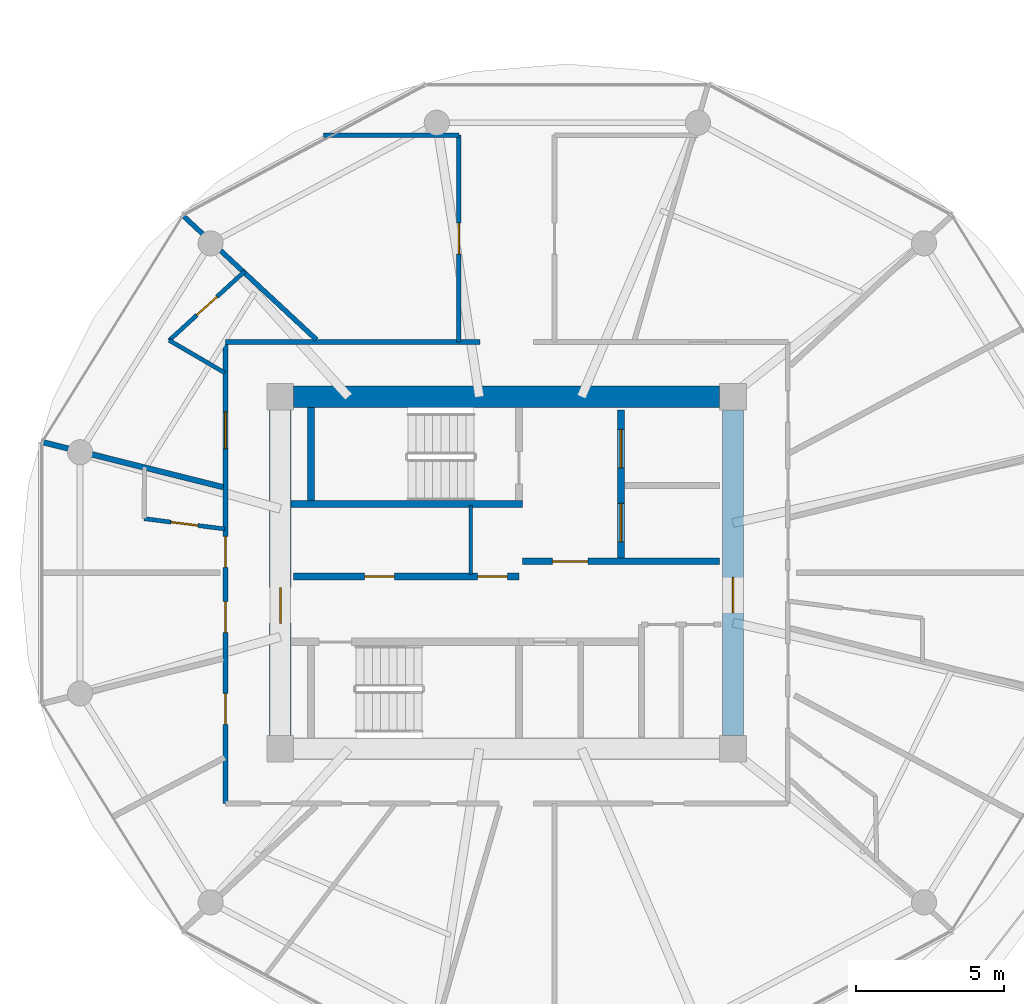
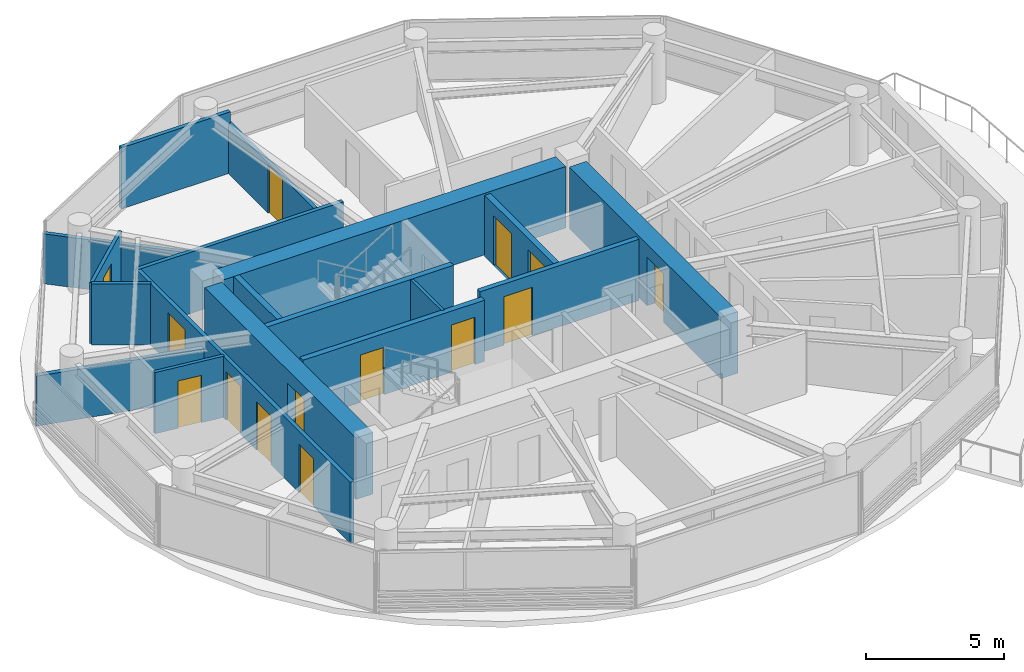
# One storey, part 14 of 22: 18 walls, 14 doors, 14 openings.
"""IFC4 building model written with IfcOpenShell, lengths in metres."""

from ifc_helpers import new_model, si_unit, direction, frame, frame_2d, origin, place, context, subcontext, project, spatial, rectangle, extrude, source, transform, mapped, material, layer, layer_set, type_object, type_shapes, element, fill, save


model = new_model("IFC4")

# Units and contexts
model_context = context("Model", 3, precision=1e-05, world=origin(), true_north=direction((0.0, 1.0)))
body_context = subcontext(model_context, "Body", "Model", "MODEL_VIEW")
ifc_project = project(units=[si_unit("LENGTHUNIT", "METRE"), si_unit("AREAUNIT", "SQUARE_METRE"), si_unit("VOLUMEUNIT", "CUBIC_METRE"), si_unit("PLANEANGLEUNIT", "RADIAN"), si_unit("MASSUNIT", "GRAM", prefix="KILO")], contexts=[model_context])

# Site, building, storey
site_placement = place(None, origin())
site = spatial("IfcSite", under=ifc_project, at=site_placement, CompositionType="ELEMENT")
building_placement = place(site_placement, origin())
building = spatial("IfcBuilding", under=site, at=building_placement, Name="Norrkilde Senior Care Towers", CompositionType="ELEMENT")
storey_placement = place(building_placement, frame((0.0, 0.0, 126.75)))
storey = spatial("IfcBuildingStorey", under=building, at=storey_placement, Name="L39", CompositionType="ELEMENT", Elevation=126.75)

# Wall
ifc_material_1 = material(Name="Concrete C60/75", Category="concrete")
ifc_layer_1 = layer(ifc_material_1, 0.719970703125)
ifc_layer_set_1 = layer_set([ifc_layer_1], Name="Concrete C60/75")
wall_type_1 = type_object("IfcWallType", Name="Core Shear Wall Z2 720", PredefinedType="SHEAR", material=ifc_layer_set_1)
shared_shape_1 = source(origin(), body_context, "Body", "SweptSolid", [
    extrude(rectangle(XDim=14.39990234375, YDim=0.719970703125, at=frame_2d((7.199951171875, 0.0))), origin(), (0.0, 0.0, 1.0), 2.72998046875),
])
wall_1_placement = place(storey_placement, frame((-35.199951171875, 5.949951171875, 0.0), z_axis=(0.0, 0.0, 1.0), x_axis=(1.0, 0.0, 0.0)))
element("IfcWall", 1, at=wall_1_placement, inside=storey, type_object=wall_type_1, Name="L39 Core W North Shear Wall", PredefinedType="SHEAR", context=body_context, shape_type="MappedRepresentation", body=[
    mapped(shared_shape_1, transform((0.0, 0.0, 0.0), x_axis=(1.0, 0.0, 0.0), y_axis=(0.0, 1.0, 0.0), z_axis=(0.0, 0.0, 1.0), scale=1.0)),
])

# Wall, opening, door
shared_shape_2 = source(origin(), body_context, "Body", "SweptSolid", [
    extrude(rectangle(XDim=11.0, YDim=0.719970703125, at=frame_2d((5.5, 0.0))), origin(), (0.0, 0.0, 1.0), 2.72998046875),
])
type_shapes(wall_type_1, [shared_shape_1, shared_shape_2])
wall_2_placement = place(storey_placement, frame((-35.64990234375, -5.5, 0.0), z_axis=(0.0, 0.0, 1.0), x_axis=(0.0, 1.0, 0.0)))
wall_2 = element("IfcWall", 2, at=wall_2_placement, inside=storey, type_object=wall_type_1, Name="L39 Core W West Shear Wall", PredefinedType="SHEAR", context=body_context, shape_type="MappedRepresentation", body=[
    mapped(shared_shape_2, transform((0.0, 0.0, 0.0), x_axis=(1.0, 0.0, 0.0), y_axis=(0.0, 1.0, 0.0), z_axis=(0.0, 0.0, 1.0), scale=1.0)),
])
opening_1_placement = place(wall_2_placement, frame((3.800048828125, 0.0, 0.0)))
opening_1 = element("IfcOpeningElement", 3, at=opening_1_placement, cuts=wall_2, Name="Opening D-04", PredefinedType="OPENING", context=body_context, shape_type="SweptSolid", body=[
    extrude(rectangle(XDim=1.199951171875, YDim=2.14990234375, at=frame_2d((0.60009765625, 1.074951171875))), frame((0.0, 0.369873046875, 0.0), z_axis=(0.0, -1.0, 0.0), x_axis=(1.0, 0.0, 0.0)), (0.0, 0.0, 1.0), 0.739990234375),
])
ifc_material_2 = material(Name="Galvanised Painted Steel", Category="steel")
door_type_1 = type_object("IfcDoorType", Name="Firefighting Lobby Fire Door 1200x2150", OperationType="NOTDEFINED", PredefinedType="DOOR", material=ifc_material_2)
shared_shape_3 = source(origin(), body_context, "Body", "SweptSolid", [
    extrude(rectangle(XDim=1.199951171875, YDim=2.14990234375, at=frame_2d((0.60009765625, 1.074951171875))), frame((0.0, 0.02490234375, 0.0), z_axis=(0.0, -1.0, 0.0), x_axis=(1.0, 0.0, 0.0)), (0.0, 0.0, 1.0), 0.050048828125),
])
type_shapes(door_type_1, [shared_shape_3])
door_1_placement = place(opening_1_placement, frame((1.199951171875, 0.0, 0.0), z_axis=(0.0, 0.0, 1.0), x_axis=(-1.0, 0.0, 0.0)))
door_1 = element("IfcDoor", 4, at=door_1_placement, inside=storey, type_object=door_type_1, Name="L39 Core W West Portal Door", OperationType="SINGLE_SWING_LEFT", OverallHeight=2.14990234375, OverallWidth=1.199951171875, PredefinedType="DOOR", context=body_context, shape_type="MappedRepresentation", body=[
    mapped(shared_shape_3, transform((0.0, 0.0, 0.0), x_axis=(1.0, 0.0, 0.0), y_axis=(0.0, 1.0, 0.0), z_axis=(0.0, 0.0, 1.0), scale=1.0)),
])
fill(opening_1, door_1)

wall_3_placement = place(storey_placement, frame((-20.35009765625, 5.5, 0.0), z_axis=(0.0, 0.0, 1.0), x_axis=(0.0, -1.0, 0.0)))
wall_3 = element("IfcWall", 5, at=wall_3_placement, inside=storey, type_object=wall_type_1, Name="L39 Core W East Shear Wall", PredefinedType="SHEAR", context=body_context, shape_type="MappedRepresentation", body=[
    mapped(shared_shape_2, transform((0.0, 0.0, 0.0), x_axis=(1.0, 0.0, 0.0), y_axis=(0.0, 1.0, 0.0), z_axis=(0.0, 0.0, 1.0), scale=1.0)),
])
opening_2_placement = place(wall_3_placement, frame((5.64990234375, 0.0, 0.0)))
opening_2 = element("IfcOpeningElement", 6, at=opening_2_placement, cuts=wall_3, Name="Opening D-04", PredefinedType="OPENING", context=body_context, shape_type="SweptSolid", body=[
    extrude(rectangle(XDim=1.199951171875, YDim=2.14990234375, at=frame_2d((0.60009765625, 1.074951171875))), frame((0.0, 0.369873046875, 0.0), z_axis=(0.0, -1.0, 0.0), x_axis=(1.0, 0.0, 0.0)), (0.0, 0.0, 1.0), 0.739990234375),
])
door_2_placement = place(opening_2_placement, frame((1.199951171875, 0.0, 0.0), z_axis=(0.0, 0.0, 1.0), x_axis=(-1.0, 0.0, 0.0)))
door_2 = element("IfcDoor", 7, at=door_2_placement, inside=storey, type_object=door_type_1, Name="L39 Core W East Portal Door", OperationType="SINGLE_SWING_RIGHT", OverallHeight=2.14990234375, OverallWidth=1.199951171875, PredefinedType="DOOR", context=body_context, shape_type="MappedRepresentation", body=[
    mapped(shared_shape_3, transform((0.0, 0.0, 0.0), x_axis=(1.0, 0.0, 0.0), y_axis=(0.0, 1.0, 0.0), z_axis=(0.0, 0.0, 1.0), scale=1.0)),
])
fill(opening_2, door_2)

# Wall, openings, doors
ifc_material_3 = material(Name="Concrete C45/55", Category="concrete")
ifc_layer_2 = layer(ifc_material_3, 0.239990234375)
ifc_layer_set_2 = layer_set([ifc_layer_2], Name="Concrete C45/55")
wall_type_2 = type_object("IfcWallType", Name="Lift and Plant Rated Enclosure Partition 240", PredefinedType="PARTITIONING", material=ifc_layer_set_2)
shared_shape_4 = source(origin(), body_context, "Body", "SweptSolid", [
    extrude(rectangle(XDim=5.0, YDim=0.239990234375, at=frame_2d((2.5, 0.0))), origin(), (0.0, 0.0, 1.0), 2.715087890625),
])
wall_4_placement = place(storey_placement, frame((-24.139892578125, 0.5, 0.0), z_axis=(0.0, 0.0, 1.0), x_axis=(0.0, 1.0, 0.0)))
wall_4 = element("IfcWall", 8, at=wall_4_placement, inside=storey, type_object=wall_type_2, Name="WL-INT-L39-W-FFLE", PredefinedType="PARTITIONING", context=body_context, shape_type="MappedRepresentation", body=[
    mapped(shared_shape_4, transform((0.0, 0.0, 0.0), x_axis=(1.0, 0.0, 0.0), y_axis=(0.0, 1.0, 0.0), z_axis=(0.0, 0.0, 1.0), scale=1.0)),
])
opening_3_placement = place(wall_4_placement, frame((3.050048828125, 0.0, 0.0)))
opening_3 = element("IfcOpeningElement", 9, at=opening_3_placement, cuts=wall_4, Name="Opening LD-02", PredefinedType="OPENING", context=body_context, shape_type="SweptSolid", body=[
    extrude(rectangle(XDim=1.300048828125, YDim=2.199951171875, at=frame_2d((0.64990234375, 1.10009765625))), frame((0.0, 0.1298828125, 0.0), z_axis=(0.0, -1.0, 0.0), x_axis=(1.0, 0.0, 0.0)), (0.0, 0.0, 1.0), 0.260009765625),
])
opening_4_placement = place(wall_4_placement, frame((0.550048828125, 0.0, 0.0)))
opening_4 = element("IfcOpeningElement", 10, at=opening_4_placement, cuts=wall_4, Name="Opening LD-02", PredefinedType="OPENING", context=body_context, shape_type="SweptSolid", body=[
    extrude(rectangle(XDim=1.300048828125, YDim=2.199951171875, at=frame_2d((0.64990234375, 1.10009765625))), frame((0.0, 0.1298828125, 0.0), z_axis=(0.0, -1.0, 0.0), x_axis=(1.0, 0.0, 0.0)), (0.0, 0.0, 1.0), 0.260009765625),
])
ifc_material_4 = material(Name="Stainless Steel", Category="steel")
door_type_2 = type_object("IfcDoorType", Name="Stretcher and FFL Landing Sliding Door 1300x2200", OperationType="NOTDEFINED", PredefinedType="DOOR", material=ifc_material_4)
shared_shape_5 = source(origin(), body_context, "Body", "SweptSolid", [
    extrude(rectangle(XDim=1.300048828125, YDim=2.199951171875, at=frame_2d((0.64990234375, 1.10009765625))), frame((0.0, 0.02490234375, 0.0), z_axis=(0.0, -1.0, 0.0), x_axis=(1.0, 0.0, 0.0)), (0.0, 0.0, 1.0), 0.050048828125),
])
type_shapes(door_type_2, [shared_shape_5])
door_3_placement = place(opening_3_placement, origin())
door_3 = element("IfcDoor", 11, at=door_3_placement, inside=storey, type_object=door_type_2, Name="L39 Firefighting Lift W1 Landing Door", OperationType="SLIDING_TO_LEFT", OverallHeight=2.199951171875, OverallWidth=1.300048828125, PredefinedType="DOOR", context=body_context, shape_type="MappedRepresentation", body=[
    mapped(shared_shape_5, transform((0.0, 0.0, 0.0), x_axis=(1.0, 0.0, 0.0), y_axis=(0.0, 1.0, 0.0), z_axis=(0.0, 0.0, 1.0), scale=1.0)),
])
fill(opening_3, door_3)
door_4_placement = place(opening_4_placement, origin())
door_4 = element("IfcDoor", 12, at=door_4_placement, inside=storey, type_object=door_type_2, Name="L39 Stretcher Lift W1 Landing Door", OperationType="SLIDING_TO_RIGHT", OverallHeight=2.199951171875, OverallWidth=1.300048828125, PredefinedType="DOOR", context=body_context, shape_type="MappedRepresentation", body=[
    mapped(shared_shape_5, transform((0.0, 0.0, 0.0), x_axis=(1.0, 0.0, 0.0), y_axis=(0.0, 1.0, 0.0), z_axis=(0.0, 0.0, 1.0), scale=1.0)),
])
fill(opening_4, door_4)

# Wall, opening, door
ifc_layer_3 = layer(ifc_material_3, 0.2099609375)
ifc_layer_set_3 = layer_set([ifc_layer_3], Name="Concrete C45/55")
wall_type_3 = type_object("IfcWallType", Name="Firefighting Lobby Wall 210", PredefinedType="PARTITIONING", material=ifc_layer_set_3)
shared_shape_6 = source(origin(), body_context, "Body", "SweptSolid", [
    extrude(rectangle(XDim=6.659912109375, YDim=0.2099609375, at=frame_2d((3.330078125, 0.0))), origin(), (0.0, 0.0, 1.0), 2.715087890625),
])
type_shapes(wall_type_3, [shared_shape_6])
wall_5_placement = place(storey_placement, frame((-27.4599609375, 0.389892578125, 0.0), z_axis=(0.0, 0.0, 1.0), x_axis=(1.0, 0.0, 0.0)))
wall_5 = element("IfcWall", 13, at=wall_5_placement, inside=storey, type_object=wall_type_3, Name="WL-INT-L39-W-FFLS", PredefinedType="PARTITIONING", context=body_context, shape_type="MappedRepresentation", body=[
    mapped(shared_shape_6, transform((0.0, 0.0, 0.0), x_axis=(1.0, 0.0, 0.0), y_axis=(0.0, 1.0, 0.0), z_axis=(0.0, 0.0, 1.0), scale=1.0)),
])
opening_5_placement = place(wall_5_placement, frame((1.0, 0.0, 0.0)))
opening_5 = element("IfcOpeningElement", 14, at=opening_5_placement, cuts=wall_5, Name="Opening D-04", PredefinedType="OPENING", context=body_context, shape_type="SweptSolid", body=[
    extrude(rectangle(XDim=1.199951171875, YDim=2.14990234375, at=frame_2d((0.60009765625, 1.074951171875))), frame((0.0, 0.114990234375, 0.0), z_axis=(0.0, -1.0, 0.0), x_axis=(1.0, 0.0, 0.0)), (0.0, 0.0, 1.0), 0.22998046875),
])
door_5_placement = place(opening_5_placement, frame((1.199951171875, 0.0, 0.0), z_axis=(0.0, 0.0, 1.0), x_axis=(-1.0, 0.0, 0.0)))
door_5 = element("IfcDoor", 15, at=door_5_placement, inside=storey, type_object=door_type_1, Name="L39 Firefighting Lobby W Door", OperationType="SINGLE_SWING_LEFT", OverallHeight=2.14990234375, OverallWidth=1.199951171875, PredefinedType="DOOR", context=body_context, shape_type="MappedRepresentation", body=[
    mapped(shared_shape_3, transform((0.0, 0.0, 0.0), x_axis=(1.0, 0.0, 0.0), y_axis=(0.0, 1.0, 0.0), z_axis=(0.0, 0.0, 1.0), scale=1.0)),
])
fill(opening_5, door_5)

# Wall, openings, doors
shared_shape_7 = source(origin(), body_context, "Body", "SweptSolid", [
    extrude(rectangle(XDim=7.619873046875, YDim=0.239990234375, at=frame_2d((3.81005859375, 0.0))), origin(), (0.0, 0.0, 1.0), 2.715087890625),
])
type_shapes(wall_type_2, [shared_shape_4, shared_shape_7])
wall_6_placement = place(storey_placement, frame((-35.199951171875, -0.1298828125, 0.0), z_axis=(0.0, 0.0, 1.0), x_axis=(1.0, 0.0, 0.0)))
wall_6 = element("IfcWall", 16, at=wall_6_placement, inside=storey, type_object=wall_type_2, Name="WL-INT-L39-W-PKAS", PredefinedType="PARTITIONING", context=body_context, shape_type="MappedRepresentation", body=[
    mapped(shared_shape_7, transform((0.0, 0.0, 0.0), x_axis=(1.0, 0.0, 0.0), y_axis=(0.0, 1.0, 0.0), z_axis=(0.0, 0.0, 1.0), scale=1.0)),
])
opening_6_placement = place(wall_6_placement, frame((6.219970703125, 0.0, 0.0)))
opening_6 = element("IfcOpeningElement", 17, at=opening_6_placement, cuts=wall_6, Name="Opening D-10", PredefinedType="OPENING", context=body_context, shape_type="SweptSolid", body=[
    extrude(rectangle(XDim=1.0, YDim=2.10009765625, at=frame_2d((0.5, 1.050048828125))), frame((0.0, 0.1298828125, 0.0), z_axis=(0.0, -1.0, 0.0), x_axis=(1.0, 0.0, 0.0)), (0.0, 0.0, 1.0), 0.260009765625),
])
opening_7_placement = place(wall_6_placement, frame((2.39990234375, 0.0, 0.0)))
opening_7 = element("IfcOpeningElement", 18, at=opening_7_placement, cuts=wall_6, Name="Opening D-10", PredefinedType="OPENING", context=body_context, shape_type="SweptSolid", body=[
    extrude(rectangle(XDim=1.0, YDim=2.10009765625, at=frame_2d((0.5, 1.050048828125))), frame((0.0, 0.1298828125, 0.0), z_axis=(0.0, -1.0, 0.0), x_axis=(1.0, 0.0, 0.0)), (0.0, 0.0, 1.0), 0.260009765625),
])
door_type_3 = type_object("IfcDoorType", Name="Plant and Riser Rated Door 1000x2100", OperationType="NOTDEFINED", PredefinedType="DOOR", material=ifc_material_2)
shared_shape_8 = source(origin(), body_context, "Body", "SweptSolid", [
    extrude(rectangle(XDim=1.0, YDim=2.10009765625, at=frame_2d((0.5, 1.050048828125))), frame((0.0, 0.02490234375, 0.0), z_axis=(0.0, -1.0, 0.0), x_axis=(1.0, 0.0, 0.0)), (0.0, 0.0, 1.0), 0.050048828125),
])
type_shapes(door_type_3, [shared_shape_8])
door_6_placement = place(opening_6_placement, frame((1.0, 0.0, 0.0), z_axis=(0.0, 0.0, 1.0), x_axis=(-1.0, 0.0, 0.0)))
door_6 = element("IfcDoor", 19, at=door_6_placement, inside=storey, type_object=door_type_3, Name="L39 Electrical Riser W Door", OperationType="SINGLE_SWING_LEFT", OverallHeight=2.10009765625, OverallWidth=1.0, PredefinedType="DOOR", context=body_context, shape_type="MappedRepresentation", body=[
    mapped(shared_shape_8, transform((0.0, 0.0, 0.0), x_axis=(1.0, 0.0, 0.0), y_axis=(0.0, 1.0, 0.0), z_axis=(0.0, 0.0, 1.0), scale=1.0)),
])
fill(opening_6, door_6)
door_7_placement = place(opening_7_placement, frame((1.0, 0.0, 0.0), z_axis=(0.0, 0.0, 1.0), x_axis=(-1.0, 0.0, 0.0)))
door_7 = element("IfcDoor", 20, at=door_7_placement, inside=storey, type_object=door_type_3, Name="L39 Clean Supply Store W Door", OperationType="SINGLE_SWING_LEFT", OverallHeight=2.10009765625, OverallWidth=1.0, PredefinedType="DOOR", context=body_context, shape_type="MappedRepresentation", body=[
    mapped(shared_shape_8, transform((0.0, 0.0, 0.0), x_axis=(1.0, 0.0, 0.0), y_axis=(0.0, 1.0, 0.0), z_axis=(0.0, 0.0, 1.0), scale=1.0)),
])
fill(opening_7, door_7)

# Wall
ifc_material_5 = material(Name="Gypsum Acoustic Board")
ifc_layer_4 = layer(ifc_material_5, 0.114990234375)
ifc_layer_set_4 = layer_set([ifc_layer_4], Name="Gypsum Acoustic Board")
wall_type_4 = type_object("IfcWallType", Name="Internal Room Partition 115", PredefinedType="PARTITIONING", material=ifc_layer_set_4)
shared_shape_9 = source(origin(), body_context, "Body", "SweptSolid", [
    extrude(rectangle(XDim=2.330078125, YDim=0.114990234375, at=frame_2d((1.1650390625, 0.0))), origin(), (0.0, 0.0, 1.0), 2.715087890625),
])
type_shapes(wall_type_4, [shared_shape_9])
wall_7_placement = place(storey_placement, frame((-29.2099609375, -0.050048828125, 0.0), z_axis=(0.0, 0.0, 1.0), x_axis=(0.0, 1.0, 0.0)))
element("IfcWall", 21, at=wall_7_placement, inside=storey, type_object=wall_type_4, Name="WL-INT-L39-W-RISW", PredefinedType="PARTITIONING", context=body_context, shape_type="MappedRepresentation", body=[
    mapped(shared_shape_9, transform((0.0, 0.0, 0.0), x_axis=(1.0, 0.0, 0.0), y_axis=(0.0, 1.0, 0.0), z_axis=(0.0, 0.0, 1.0), scale=1.0)),
])

# Wall, openings, doors
ifc_layer_5 = layer(ifc_material_5, 0.1650390625)
ifc_layer_set_5 = layer_set([ifc_layer_5], Name="Gypsum Acoustic Board")
wall_type_5 = type_object("IfcWallType", Name="Corridor Rated Partition 165", PredefinedType="PARTITIONING", material=ifc_layer_set_5)
shared_shape_10 = source(origin(), body_context, "Body", "SweptSolid", [
    extrude(rectangle(XDim=15.60009765625, YDim=0.1650390625, at=frame_2d((7.800048828125, 0.0))), origin(), (0.0, 0.0, 1.0), 2.715087890625),
])
wall_8_placement = place(storey_placement, frame((-37.5, -7.800048828125, 0.0), z_axis=(0.0, 0.0, 1.0), x_axis=(0.0, 1.0, 0.0)))
wall_8 = element("IfcWall", 22, at=wall_8_placement, inside=storey, type_object=wall_type_5, Name="WL-INT-L39-W-CRW-W-0", PredefinedType="PARTITIONING", context=body_context, shape_type="MappedRepresentation", body=[
    mapped(shared_shape_10, transform((0.0, 0.0, 0.0), x_axis=(1.0, 0.0, 0.0), y_axis=(0.0, 1.0, 0.0), z_axis=(0.0, 0.0, 1.0), scale=1.0)),
])
opening_8_placement = place(wall_8_placement, frame((11.994140625, 0.0, 0.0)))
opening_8 = element("IfcOpeningElement", 23, at=opening_8_placement, cuts=wall_8, Name="Opening D-05", PredefinedType="OPENING", context=body_context, shape_type="SweptSolid", body=[
    extrude(rectangle(XDim=1.25, YDim=2.199951171875, at=frame_2d((0.625, 1.10009765625))), frame((0.0, 0.092529296875, 0.0), z_axis=(0.0, -1.0, 0.0), x_axis=(1.0, 0.0, 0.0)), (0.0, 0.0, 1.0), 0.18505859375),
])
opening_9_placement = place(wall_8_placement, frame((7.984375, 0.0, 0.0)))
opening_9 = element("IfcOpeningElement", 24, at=opening_9_placement, cuts=wall_8, Name="Opening D-06", PredefinedType="OPENING", context=body_context, shape_type="SweptSolid", body=[
    extrude(rectangle(XDim=1.050048828125, YDim=2.14990234375, at=frame_2d((0.52490234375, 1.074951171875))), frame((0.0, 0.092529296875, 0.0), z_axis=(0.0, -1.0, 0.0), x_axis=(1.0, 0.0, 0.0)), (0.0, 0.0, 1.0), 0.18505859375),
])
opening_10_placement = place(wall_8_placement, frame((5.776611328125, 0.0, 0.0)))
opening_10 = element("IfcOpeningElement", 25, at=opening_10_placement, cuts=wall_8, Name="Opening D-06", PredefinedType="OPENING", context=body_context, shape_type="SweptSolid", body=[
    extrude(rectangle(XDim=1.050048828125, YDim=2.14990234375, at=frame_2d((0.52490234375, 1.074951171875))), frame((0.0, 0.092529296875, 0.0), z_axis=(0.0, -1.0, 0.0), x_axis=(1.0, 0.0, 0.0)), (0.0, 0.0, 1.0), 0.18505859375),
])
opening_11_placement = place(wall_8_placement, frame((2.67626953125, 0.0, 0.0)))
opening_11 = element("IfcOpeningElement", 26, at=opening_11_placement, cuts=wall_8, Name="Opening D-06", PredefinedType="OPENING", context=body_context, shape_type="SweptSolid", body=[
    extrude(rectangle(XDim=1.050048828125, YDim=2.14990234375, at=frame_2d((0.52490234375, 1.074951171875))), frame((0.0, 0.092529296875, 0.0), z_axis=(0.0, -1.0, 0.0), x_axis=(1.0, 0.0, 0.0)), (0.0, 0.0, 1.0), 0.18505859375),
])
ifc_material_6 = material(Name="Nordic Ash Timber", Category="wood")
door_type_4 = type_object("IfcDoorType", Name="Care Bedroom Bariatric Door 1250x2200", OperationType="NOTDEFINED", PredefinedType="DOOR", material=ifc_material_6)
shared_shape_11 = source(origin(), body_context, "Body", "SweptSolid", [
    extrude(rectangle(XDim=1.25, YDim=2.199951171875, at=frame_2d((0.625, 1.10009765625))), frame((0.0, 0.02490234375, 0.0), z_axis=(0.0, -1.0, 0.0), x_axis=(1.0, 0.0, 0.0)), (0.0, 0.0, 1.0), 0.050048828125),
])
type_shapes(door_type_4, [shared_shape_11])
door_8_placement = place(opening_8_placement, frame((1.25, 0.0, 0.0), z_axis=(0.0, 0.0, 1.0), x_axis=(-1.0, 0.0, 0.0)))
door_8 = element("IfcDoor", 27, at=door_8_placement, inside=storey, type_object=door_type_4, Name="L39 Care Suite 3904 Entrance Door", OperationType="SINGLE_SWING_LEFT", OverallHeight=2.199951171875, OverallWidth=1.25, PredefinedType="DOOR", context=body_context, shape_type="MappedRepresentation", body=[
    mapped(shared_shape_11, transform((0.0, 0.0, 0.0), x_axis=(1.0, 0.0, 0.0), y_axis=(0.0, 1.0, 0.0), z_axis=(0.0, 0.0, 1.0), scale=1.0)),
])
fill(opening_8, door_8)
door_type_5 = type_object("IfcDoorType", Name="Apartment Entrance Fire Door 1050x2150", OperationType="NOTDEFINED", PredefinedType="DOOR", material=ifc_material_6)
shared_shape_12 = source(origin(), body_context, "Body", "SweptSolid", [
    extrude(rectangle(XDim=1.050048828125, YDim=2.14990234375, at=frame_2d((0.52490234375, 1.074951171875))), frame((0.0, 0.02490234375, 0.0), z_axis=(0.0, -1.0, 0.0), x_axis=(1.0, 0.0, 0.0)), (0.0, 0.0, 1.0), 0.050048828125),
])
type_shapes(door_type_5, [shared_shape_12])
door_9_placement = place(opening_9_placement, frame((1.050048828125, 0.0, 0.0), z_axis=(0.0, 0.0, 1.0), x_axis=(-1.0, 0.0, 0.0)))
door_9 = element("IfcDoor", 28, at=door_9_placement, inside=storey, type_object=door_type_5, Name="L39 Care Suite 3905A Entrance Door", OperationType="SINGLE_SWING_RIGHT", OverallHeight=2.14990234375, OverallWidth=1.050048828125, PredefinedType="DOOR", context=body_context, shape_type="MappedRepresentation", body=[
    mapped(shared_shape_12, transform((0.0, 0.0, 0.0), x_axis=(1.0, 0.0, 0.0), y_axis=(0.0, 1.0, 0.0), z_axis=(0.0, 0.0, 1.0), scale=1.0)),
])
fill(opening_9, door_9)
door_10_placement = place(opening_10_placement, frame((1.050048828125, 0.0, 0.0), z_axis=(0.0, 0.0, 1.0), x_axis=(-1.0, 0.0, 0.0)))
door_10 = element("IfcDoor", 29, at=door_10_placement, inside=storey, type_object=door_type_5, Name="L39 Therapy Day Lounge 05 Door", OperationType="SINGLE_SWING_LEFT", OverallHeight=2.14990234375, OverallWidth=1.050048828125, PredefinedType="DOOR", context=body_context, shape_type="MappedRepresentation", body=[
    mapped(shared_shape_12, transform((0.0, 0.0, 0.0), x_axis=(1.0, 0.0, 0.0), y_axis=(0.0, 1.0, 0.0), z_axis=(0.0, 0.0, 1.0), scale=1.0)),
])
fill(opening_10, door_10)
door_11_placement = place(opening_11_placement, frame((1.050048828125, 0.0, 0.0), z_axis=(0.0, 0.0, 1.0), x_axis=(-1.0, 0.0, 0.0)))
door_11 = element("IfcDoor", 30, at=door_11_placement, inside=storey, type_object=door_type_5, Name="L39 Physiotherapy Clinic 6A Door", OperationType="SINGLE_SWING_LEFT", OverallHeight=2.14990234375, OverallWidth=1.050048828125, PredefinedType="DOOR", context=body_context, shape_type="MappedRepresentation", body=[
    mapped(shared_shape_12, transform((0.0, 0.0, 0.0), x_axis=(1.0, 0.0, 0.0), y_axis=(0.0, 1.0, 0.0), z_axis=(0.0, 0.0, 1.0), scale=1.0)),
])
fill(opening_11, door_11)

# Walls
ifc_layer_6 = layer(ifc_material_3, 0.239990234375)
ifc_layer_set_6 = layer_set([ifc_layer_6], Name="Concrete C45/55")
wall_type_6 = type_object("IfcWallType", Name="Shaft and Stair Enclosure Wall 240", PredefinedType="PARTITIONING", material=ifc_layer_set_6)
shared_shape_13 = source(origin(), body_context, "Body", "SweptSolid", [
    extrude(rectangle(XDim=7.830078125, YDim=0.239990234375, at=frame_2d((3.9150390625, 0.0))), origin(), (0.0, 0.0, 1.0), 2.72998046875),
])
wall_9_placement = place(storey_placement, frame((-35.2900390625, 2.330078125, 0.0), z_axis=(0.0, 0.0, 1.0), x_axis=(1.0, 0.0, 0.0)))
element("IfcWall", 31, at=wall_9_placement, inside=storey, type_object=wall_type_6, Name="WL-INT-L39-W-ST1S", PredefinedType="PARTITIONING", context=body_context, shape_type="MappedRepresentation", body=[
    mapped(shared_shape_13, transform((0.0, 0.0, 0.0), x_axis=(1.0, 0.0, 0.0), y_axis=(0.0, 1.0, 0.0), z_axis=(0.0, 0.0, 1.0), scale=1.0)),
])
shared_shape_14 = source(origin(), body_context, "Body", "SweptSolid", [
    extrude(rectangle(XDim=3.14013671875, YDim=0.239990234375, at=frame_2d((1.570068359375, 0.0))), origin(), (0.0, 0.0, 1.0), 2.72998046875),
])
type_shapes(wall_type_6, [shared_shape_13, shared_shape_14])
wall_10_placement = place(storey_placement, frame((-34.6201171875, 2.449951171875, 0.0), z_axis=(0.0, 0.0, 1.0), x_axis=(0.0, 1.0, 0.0)))
element("IfcWall", 32, at=wall_10_placement, inside=storey, type_object=wall_type_6, Name="WL-INT-L39-W-ST1W", PredefinedType="PARTITIONING", context=body_context, shape_type="MappedRepresentation", body=[
    mapped(shared_shape_14, transform((0.0, 0.0, 0.0), x_axis=(1.0, 0.0, 0.0), y_axis=(0.0, 1.0, 0.0), z_axis=(0.0, 0.0, 1.0), scale=1.0)),
])
shared_shape_15 = source(origin(), body_context, "Body", "SweptSolid", [
    extrude(rectangle(XDim=8.60009765625, YDim=0.1650390625, at=frame_2d((4.300048828125, 0.0))), origin(), (0.0, 0.0, 1.0), 2.715087890625),
])
wall_11_placement = place(storey_placement, frame((-37.5, 7.800048828125, 0.0), z_axis=(0.0, 0.0, 1.0), x_axis=(1.0, 0.0, 0.0)))
element("IfcWall", 33, at=wall_11_placement, inside=storey, type_object=wall_type_5, Name="WL-INT-L39-W-CRW-N-0", PredefinedType="PARTITIONING", context=body_context, shape_type="MappedRepresentation", body=[
    mapped(shared_shape_15, transform((0.0, 0.0, 0.0), x_axis=(1.0, 0.0, 0.0), y_axis=(0.0, 1.0, 0.0), z_axis=(0.0, 0.0, 1.0), scale=1.0)),
])
shared_shape_16 = source(origin(), body_context, "Body", "SweptSolid", [
    extrude(rectangle(XDim=6.186767578125, YDim=0.1650390625, at=frame_2d((3.09326171875, 0.0))), origin(), (0.0, 0.0, 1.0), 2.215087890625),
])
wall_12_placement = place(storey_placement, frame((-34.428955078125, 7.8798828125, 0.0), z_axis=(0.0, 0.0, 1.0), x_axis=(-0.732501077882, 0.680765870841, 0.0)))
element("IfcWall", 34, at=wall_12_placement, inside=storey, type_object=wall_type_5, Name="WL-INT-L39-W-DEM-04-0", PredefinedType="PARTITIONING", context=body_context, shape_type="MappedRepresentation", body=[
    mapped(shared_shape_16, transform((0.0, 0.0, 0.0), x_axis=(1.0, 0.0, 0.0), y_axis=(0.0, 1.0, 0.0), z_axis=(0.0, 0.0, 1.0), scale=1.0)),
])

# Wall, opening, door
shared_shape_17 = source(origin(), body_context, "Body", "SweptSolid", [
    extrude(rectangle(XDim=6.989990234375, YDim=0.1650390625, at=frame_2d((3.4951171875, 0.0))), origin(), (0.0, 0.0, 1.0), 2.215087890625),
])
wall_13_placement = place(storey_placement, frame((-29.6201171875, 7.800048828125, 0.0), z_axis=(0.0, 0.0, 1.0), x_axis=(0.0, 1.0, 0.0)))
wall_13 = element("IfcWall", 35, at=wall_13_placement, inside=storey, type_object=wall_type_5, Name="WL-INT-L39-W-PKW-NWL", PredefinedType="PARTITIONING", context=body_context, shape_type="MappedRepresentation", body=[
    mapped(shared_shape_17, transform((0.0, 0.0, 0.0), x_axis=(1.0, 0.0, 0.0), y_axis=(0.0, 1.0, 0.0), z_axis=(0.0, 0.0, 1.0), scale=1.0)),
])
opening_12_placement = place(wall_13_placement, frame((2.969970703125, 0.0, 0.0)))
opening_12 = element("IfcOpeningElement", 36, at=opening_12_placement, cuts=wall_13, Name="Opening D-06", PredefinedType="OPENING", context=body_context, shape_type="SweptSolid", body=[
    extrude(rectangle(XDim=1.050048828125, YDim=2.14990234375, at=frame_2d((0.52490234375, 1.074951171875))), frame((0.0, 0.092529296875, 0.0), z_axis=(0.0, -1.0, 0.0), x_axis=(1.0, 0.0, 0.0)), (0.0, 0.0, 1.0), 0.18505859375),
])
door_12_placement = place(opening_12_placement, frame((1.050048828125, 0.0, 0.0), z_axis=(0.0, 0.0, 1.0), x_axis=(-1.0, 0.0, 0.0)))
door_12 = element("IfcDoor", 37, at=door_12_placement, inside=storey, type_object=door_type_5, Name="L39 Reading Lounge NWL Door", OperationType="SINGLE_SWING_RIGHT", OverallHeight=2.14990234375, OverallWidth=1.050048828125, PredefinedType="DOOR", context=body_context, shape_type="MappedRepresentation", body=[
    mapped(shared_shape_12, transform((0.0, 0.0, 0.0), x_axis=(1.0, 0.0, 0.0), y_axis=(0.0, 1.0, 0.0), z_axis=(0.0, 0.0, 1.0), scale=1.0)),
])
fill(opening_12, door_12)

# Walls
shared_shape_18 = source(origin(), body_context, "Body", "SweptSolid", [
    extrude(rectangle(XDim=4.5693359375, YDim=0.1650390625, at=frame_2d((2.28466796875, 0.0))), origin(), (0.0, 0.0, 1.0), 2.715087890625),
])
type_shapes(wall_type_5, [shared_shape_10, shared_shape_15, shared_shape_16, shared_shape_17, shared_shape_18])
wall_14_placement = place(storey_placement, frame((-34.189453125, 14.7900390625, 0.0), z_axis=(0.0, 0.0, 1.0), x_axis=(1.0, 0.0, 0.0)))
element("IfcWall", 38, at=wall_14_placement, inside=storey, type_object=wall_type_5, Name="WL-INT-L39-W-PKH-NWL-0", PredefinedType="PARTITIONING", context=body_context, shape_type="MappedRepresentation", body=[
    mapped(shared_shape_18, transform((0.0, 0.0, 0.0), x_axis=(1.0, 0.0, 0.0), y_axis=(0.0, 1.0, 0.0), z_axis=(0.0, 0.0, 1.0), scale=1.0)),
])
ifc_layer_7 = layer(ifc_material_5, 0.18994140625)
ifc_layer_set_7 = layer_set([ifc_layer_7], Name="Gypsum Acoustic Board")
wall_type_7 = type_object("IfcWallType", Name="Unit Demising Acoustic Wall 190", PredefinedType="PARTITIONING", material=ifc_layer_set_7)
shared_shape_19 = source(origin(), body_context, "Body", "SweptSolid", [
    extrude(rectangle(XDim=6.33056640625, YDim=0.18994140625, at=frame_2d((3.165283203125, 0.0))), origin(), (0.0, 0.0, 1.0), 2.215087890625),
])
type_shapes(wall_type_7, [shared_shape_19])
wall_15_placement = place(storey_placement, frame((-37.580078125, 2.89599609375, 0.0), z_axis=(0.0, 0.0, 1.0), x_axis=(-0.97036440661, 0.241646267062, 0.0)))
element("IfcWall", 39, at=wall_15_placement, inside=storey, type_object=wall_type_7, Name="WL-INT-L39-W-DEM-05-0", PredefinedType="PARTITIONING", context=body_context, shape_type="MappedRepresentation", body=[
    mapped(shared_shape_19, transform((0.0, 0.0, 0.0), x_axis=(1.0, 0.0, 0.0), y_axis=(0.0, 1.0, 0.0), z_axis=(0.0, 0.0, 1.0), scale=1.0)),
])
ifc_layer_8 = layer(ifc_material_5, 0.139892578125)
ifc_layer_set_8 = layer_set([ifc_layer_8], Name="Gypsum Acoustic Board")
wall_type_8 = type_object("IfcWallType", Name="En-suite Wet Room Wall 140", PredefinedType="PARTITIONING", material=ifc_layer_set_8)
shared_shape_20 = source(origin(), body_context, "Body", "SweptSolid", [
    extrude(rectangle(XDim=2.171630859375, YDim=0.139892578125, at=frame_2d((1.0859375, 0.0))), origin(), (0.0, 0.0, 1.0), 2.715087890625),
])
wall_16_placement = place(storey_placement, frame((-37.530029296875, 6.761962890625, 0.0), z_axis=(0.0, 0.0, 1.0), x_axis=(-0.863562702562, 0.504241468688, 0.0)))
element("IfcWall", 40, at=wall_16_placement, inside=storey, type_object=wall_type_8, Name="WL-INT-L39-W-ES-04", PredefinedType="PARTITIONING", context=body_context, shape_type="MappedRepresentation", body=[
    mapped(shared_shape_20, transform((0.0, 0.0, 0.0), x_axis=(1.0, 0.0, 0.0), y_axis=(0.0, 1.0, 0.0), z_axis=(0.0, 0.0, 1.0), scale=1.0)),
])

# Wall, opening, door
shared_shape_21 = source(origin(), body_context, "Body", "SweptSolid", [
    extrude(rectangle(XDim=3.456787109375, YDim=0.139892578125, at=frame_2d((1.728515625, 0.0))), origin(), (0.0, 0.0, 1.0), 2.715087890625),
])
wall_17_placement = place(storey_placement, frame((-39.4052734375, 7.85693359375, 0.0), z_axis=(0.0, 0.0, 1.0), x_axis=(0.737567375492, 0.675273549467, 0.0)))
wall_17 = element("IfcWall", 41, at=wall_17_placement, inside=storey, type_object=wall_type_8, Name="WL-INT-L39-W-EF-04", PredefinedType="PARTITIONING", context=body_context, shape_type="MappedRepresentation", body=[
    mapped(shared_shape_21, transform((0.0, 0.0, 0.0), x_axis=(1.0, 0.0, 0.0), y_axis=(0.0, 1.0, 0.0), z_axis=(0.0, 0.0, 1.0), scale=1.0)),
])
opening_13_placement = place(wall_17_placement, frame((1.268310546875, 0.0, 0.0)))
opening_13 = element("IfcOpeningElement", 42, at=opening_13_placement, cuts=wall_17, Name="Opening D-08", PredefinedType="OPENING", context=body_context, shape_type="SweptSolid", body=[
    extrude(rectangle(XDim=0.919921875, YDim=2.10009765625, at=frame_2d((0.4599609375, 1.050048828125))), frame((0.0, 0.079833984375, 0.0), z_axis=(0.0, -1.0, 0.0), x_axis=(1.0, 0.0, 0.0)), (0.0, 0.0, 1.0), 0.159912109375),
])
door_type_6 = type_object("IfcDoorType", Name="Accessible Wet Room Door 920x2100", OperationType="NOTDEFINED", PredefinedType="DOOR", material=ifc_material_6)
shared_shape_22 = source(origin(), body_context, "Body", "SweptSolid", [
    extrude(rectangle(XDim=0.919921875, YDim=2.10009765625, at=frame_2d((0.4599609375, 1.050048828125))), frame((0.0, 0.02490234375, 0.0), z_axis=(0.0, -1.0, 0.0), x_axis=(1.0, 0.0, 0.0)), (0.0, 0.0, 1.0), 0.050048828125),
])
type_shapes(door_type_6, [shared_shape_22])
door_13_placement = place(opening_13_placement, origin())
door_13 = element("IfcDoor", 43, at=door_13_placement, inside=storey, type_object=door_type_6, Name="L39 Care Suite 3904 Bathroom Door", OperationType="SINGLE_SWING_RIGHT", OverallHeight=2.10009765625, OverallWidth=0.919921875, PredefinedType="DOOR", context=body_context, shape_type="MappedRepresentation", body=[
    mapped(shared_shape_22, transform((0.0, 0.0, 0.0), x_axis=(1.0, 0.0, 0.0), y_axis=(0.0, 1.0, 0.0), z_axis=(0.0, 0.0, 1.0), scale=1.0)),
])
fill(opening_13, door_13)

shared_shape_23 = source(origin(), body_context, "Body", "SweptSolid", [
    extrude(rectangle(XDim=2.74365234375, YDim=0.139892578125, at=frame_2d((1.371826171875, 0.0))), origin(), (0.0, 0.0, 1.0), 2.715087890625),
])
type_shapes(wall_type_8, [shared_shape_20, shared_shape_21, shared_shape_23])
wall_18_placement = place(storey_placement, frame((-37.530029296875, 1.482421875, 0.0), z_axis=(0.0, 0.0, 1.0), x_axis=(-0.991916450239, 0.126892693823, 0.0)))
wall_18 = element("IfcWall", 44, at=wall_18_placement, inside=storey, type_object=wall_type_8, Name="WL-INT-L39-W-ES-05A", PredefinedType="PARTITIONING", context=body_context, shape_type="MappedRepresentation", body=[
    mapped(shared_shape_23, transform((0.0, 0.0, 0.0), x_axis=(1.0, 0.0, 0.0), y_axis=(0.0, 1.0, 0.0), z_axis=(0.0, 0.0, 1.0), scale=1.0)),
])
opening_14_placement = place(wall_18_placement, frame((0.911865234375, 0.0, 0.0)))
opening_14 = element("IfcOpeningElement", 45, at=opening_14_placement, cuts=wall_18, Name="Opening D-08", PredefinedType="OPENING", context=body_context, shape_type="SweptSolid", body=[
    extrude(rectangle(XDim=0.919921875, YDim=2.10009765625, at=frame_2d((0.4599609375, 1.050048828125))), frame((0.0, 0.079833984375, 0.0), z_axis=(0.0, -1.0, 0.0), x_axis=(1.0, 0.0, 0.0)), (0.0, 0.0, 1.0), 0.159912109375),
])
door_14_placement = place(opening_14_placement, origin())
door_14 = element("IfcDoor", 46, at=door_14_placement, inside=storey, type_object=door_type_6, Name="L39 Care Suite 3905A Bathroom Door", OperationType="SINGLE_SWING_LEFT", OverallHeight=2.10009765625, OverallWidth=0.919921875, PredefinedType="DOOR", context=body_context, shape_type="MappedRepresentation", body=[
    mapped(shared_shape_22, transform((0.0, 0.0, 0.0), x_axis=(1.0, 0.0, 0.0), y_axis=(0.0, 1.0, 0.0), z_axis=(0.0, 0.0, 1.0), scale=1.0)),
])
fill(opening_14, door_14)

save(model, "model.ifc")
